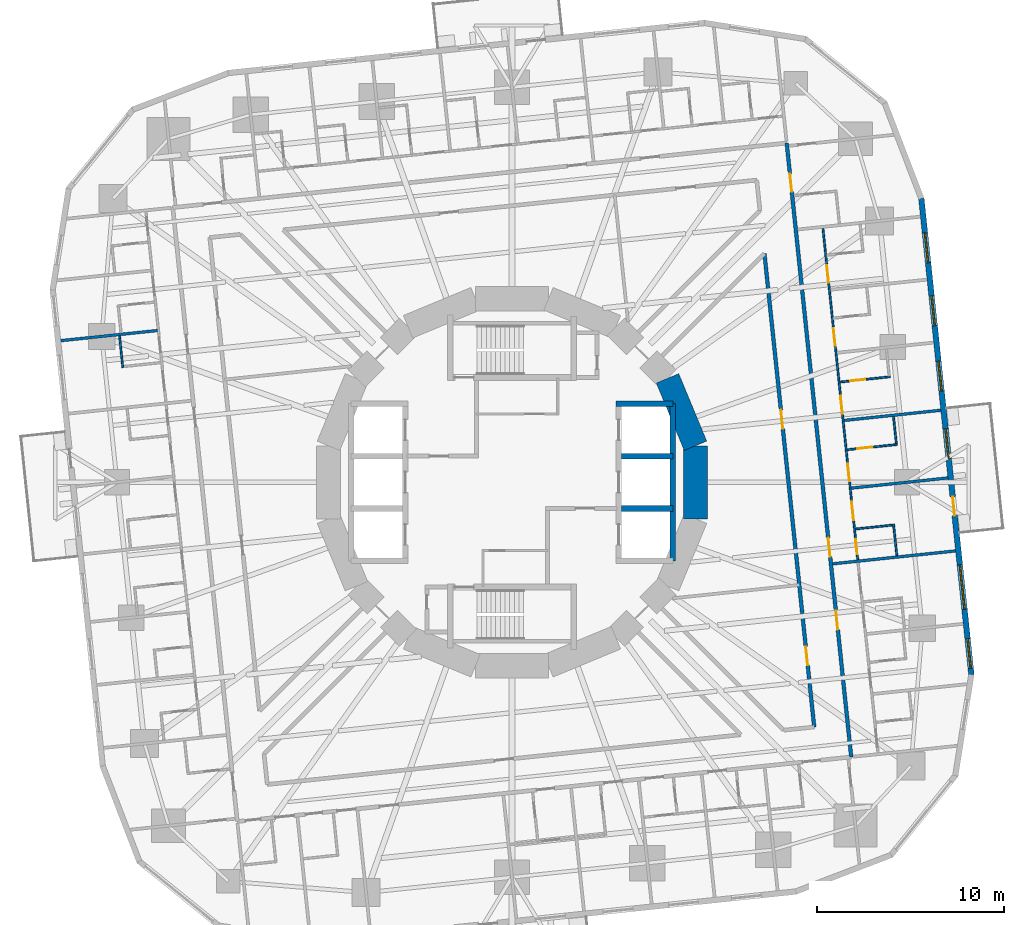
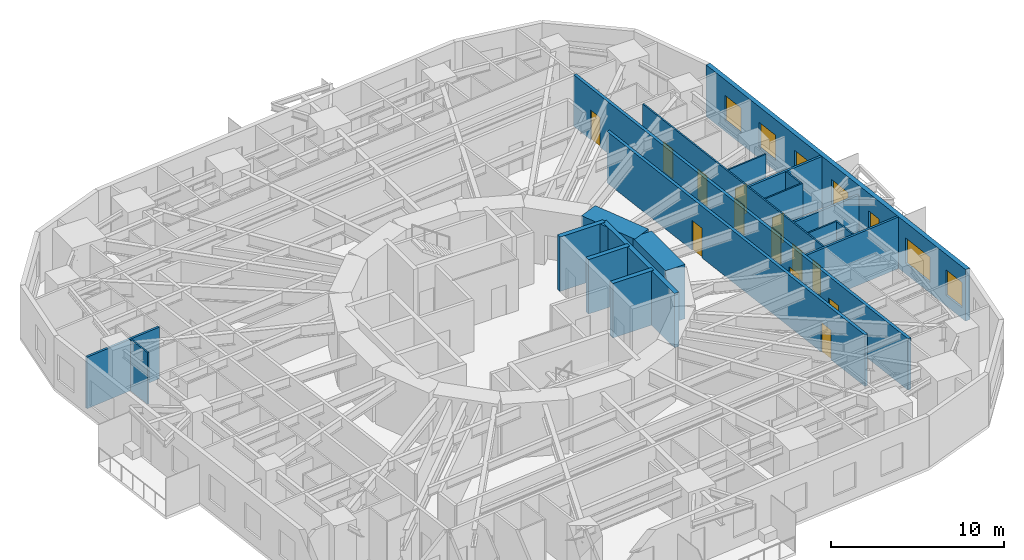
# One storey, part 9 of 15: 20 walls, 14 doors, 6 windows, 20 openings.
"""IFC4 building model written with IfcOpenShell, lengths in metres."""

from ifc_helpers import new_model, si_unit, direction, frame, frame_2d, origin, place, context, subcontext, project, spatial, rectangle, extrude, material, layer, layer_set, type_object, element, fill, save


model = new_model("IFC4")

# Units and contexts
model_context = context("Model", 3, precision=1e-05, world=origin(), true_north=direction((0.0, 1.0)))
body_context = subcontext(model_context, "Body", "Model", "MODEL_VIEW")
ifc_project = project(units=[si_unit("LENGTHUNIT", "METRE"), si_unit("AREAUNIT", "SQUARE_METRE"), si_unit("VOLUMEUNIT", "CUBIC_METRE"), si_unit("PLANEANGLEUNIT", "RADIAN"), si_unit("MASSUNIT", "GRAM", prefix="KILO")], contexts=[model_context])

# Site, building, storey
site_placement = place(None, origin())
site = spatial("IfcSite", under=ifc_project, at=site_placement, CompositionType="ELEMENT")
building_placement = place(site_placement, origin())
building = spatial("IfcBuilding", under=site, at=building_placement, Name="Nakasero Lantern House", CompositionType="ELEMENT")
storey_placement = place(building_placement, frame((0.0, 0.0, 64.35009765625)))
storey = spatial("IfcBuildingStorey", under=building, at=storey_placement, Name="L15", CompositionType="ELEMENT", Elevation=64.35009765625)

# Wall, openings, doors
ifc_material_1 = material(Name="Blockwork", Category="masonry")
ifc_layer_1 = layer(ifc_material_1, 0.10009765625)
ifc_layer_set_1 = layer_set([ifc_layer_1], Name="Cluster hall wall 100")
wall_type_1 = type_object("IfcWallType", Name="Cluster hall wall 100", PredefinedType="PARTITIONING", material=ifc_layer_set_1)
wall_1_placement = place(storey_placement, frame((18.484375, -4.143798828125, 0.0), z_axis=(0.0, 0.0, 1.0), x_axis=(-0.104524313484, 0.994522331519, 0.0)))
wall_1 = element("IfcWall", 1, at=wall_1_placement, inside=storey, type_object=wall_type_1, Name="Cluster hall wall L15 HW0-1", PredefinedType="PARTITIONING", context=body_context, shape_type="SweptSolid", body=[
    extrude(rectangle(XDim=17.8193359375, YDim=0.10009765625, at=frame_2d((8.90966796875, 0.0))), origin(), (0.0, 0.0, 1.0), 3.64990234375),
])
opening_1_placement = place(wall_1_placement, frame((2.125, 0.0, 0.0)))
opening_1 = element("IfcOpeningElement", 2, at=opening_1_placement, cuts=wall_1, Name="Opening D03", PredefinedType="OPENING", context=body_context, shape_type="SweptSolid", body=[
    extrude(rectangle(XDim=1.0, YDim=2.10009765625, at=frame_2d((0.5, 1.050048828125))), frame((0.0, 0.070068359375, 0.0), z_axis=(0.0, -1.0, 0.0), x_axis=(1.0, 0.0, 0.0)), (0.0, 0.0, 1.0), 0.14013671875),
])
opening_2_placement = place(wall_1_placement, frame((0.300048828125, 0.0, 0.0)))
opening_2 = element("IfcOpeningElement", 3, at=opening_2_placement, cuts=wall_1, Name="Opening D02", PredefinedType="OPENING", context=body_context, shape_type="SweptSolid", body=[
    extrude(rectangle(XDim=0.800048828125, YDim=2.10009765625, at=frame_2d((0.39990234375, 1.050048828125))), frame((0.0, 0.070068359375, 0.0), z_axis=(0.0, -1.0, 0.0), x_axis=(1.0, 0.0, 0.0)), (0.0, 0.0, 1.0), 0.14013671875),
])
opening_3_placement = place(wall_1_placement, frame((4.22119140625, 0.0, 0.0)))
opening_3 = element("IfcOpeningElement", 4, at=opening_3_placement, cuts=wall_1, Name="Opening D01", PredefinedType="OPENING", context=body_context, shape_type="SweptSolid", body=[
    extrude(rectangle(XDim=0.949951171875, YDim=2.10009765625, at=frame_2d((0.47509765625, 1.050048828125))), frame((0.0, 0.070068359375, 0.0), z_axis=(0.0, -1.0, 0.0), x_axis=(1.0, 0.0, 0.0)), (0.0, 0.0, 1.0), 0.14013671875),
])
opening_4_placement = place(wall_1_placement, frame((7.859619140625, 0.0, 0.0)))
opening_4 = element("IfcOpeningElement", 5, at=opening_4_placement, cuts=wall_1, Name="Opening D01", PredefinedType="OPENING", context=body_context, shape_type="SweptSolid", body=[
    extrude(rectangle(XDim=0.949951171875, YDim=2.10009765625, at=frame_2d((0.47509765625, 1.050048828125))), frame((0.0, 0.070068359375, 0.0), z_axis=(0.0, -1.0, 0.0), x_axis=(1.0, 0.0, 0.0)), (0.0, 0.0, 1.0), 0.14013671875),
])
opening_5_placement = place(wall_1_placement, frame((11.498291015625, 0.0, 0.0)))
opening_5 = element("IfcOpeningElement", 6, at=opening_5_placement, cuts=wall_1, Name="Opening D01", PredefinedType="OPENING", context=body_context, shape_type="SweptSolid", body=[
    extrude(rectangle(XDim=0.949951171875, YDim=2.10009765625, at=frame_2d((0.47509765625, 1.050048828125))), frame((0.0, 0.070068359375, 0.0), z_axis=(0.0, -1.0, 0.0), x_axis=(1.0, 0.0, 0.0)), (0.0, 0.0, 1.0), 0.14013671875),
])
opening_6_placement = place(wall_1_placement, frame((14.8837890625, 0.0, 0.0)))
opening_6 = element("IfcOpeningElement", 7, at=opening_6_placement, cuts=wall_1, Name="Opening D01", PredefinedType="OPENING", context=body_context, shape_type="SweptSolid", body=[
    extrude(rectangle(XDim=0.949951171875, YDim=2.10009765625, at=frame_2d((0.47509765625, 1.050048828125))), frame((0.0, 0.070068359375, 0.0), z_axis=(0.0, -1.0, 0.0), x_axis=(1.0, 0.0, 0.0)), (0.0, 0.0, 1.0), 0.14013671875),
])
ifc_material_2 = material(Name="Timber C24", Category="wood")
door_type_1 = type_object("IfcDoorType", Name="Bedroom door FD30S 950", OperationType="SINGLE_SWING_LEFT", PredefinedType="DOOR", material=ifc_material_2)
door_1_placement = place(opening_3_placement, origin())
door_1 = element("IfcDoor", 8, at=door_1_placement, inside=storey, type_object=door_type_1, Name="Door L15 D0-04", OperationType="SINGLE_SWING_LEFT", OverallHeight=2.10009765625, OverallWidth=0.949951171875, PredefinedType="DOOR", context=body_context, shape_type="SweptSolid", body=[
    extrude(rectangle(XDim=0.949951171875, YDim=2.10009765625, at=frame_2d((0.47509765625, 1.050048828125))), frame((0.0, 0.02490234375, 0.0), z_axis=(0.0, -1.0, 0.0), x_axis=(1.0, 0.0, 0.0)), (0.0, 0.0, 1.0), 0.050048828125),
])
fill(opening_3, door_1)
door_2_placement = place(opening_4_placement, origin())
door_2 = element("IfcDoor", 9, at=door_2_placement, inside=storey, type_object=door_type_1, Name="Door L15 D0-05", OperationType="SINGLE_SWING_LEFT", OverallHeight=2.10009765625, OverallWidth=0.949951171875, PredefinedType="DOOR", context=body_context, shape_type="SweptSolid", body=[
    extrude(rectangle(XDim=0.949951171875, YDim=2.10009765625, at=frame_2d((0.47509765625, 1.050048828125))), frame((0.0, 0.02490234375, 0.0), z_axis=(0.0, -1.0, 0.0), x_axis=(1.0, 0.0, 0.0)), (0.0, 0.0, 1.0), 0.050048828125),
])
fill(opening_4, door_2)
door_3_placement = place(opening_5_placement, origin())
door_3 = element("IfcDoor", 10, at=door_3_placement, inside=storey, type_object=door_type_1, Name="Door L15 D0-06", OperationType="SINGLE_SWING_RIGHT", OverallHeight=2.10009765625, OverallWidth=0.949951171875, PredefinedType="DOOR", context=body_context, shape_type="SweptSolid", body=[
    extrude(rectangle(XDim=0.949951171875, YDim=2.10009765625, at=frame_2d((0.47509765625, 1.050048828125))), frame((0.0, 0.02490234375, 0.0), z_axis=(0.0, -1.0, 0.0), x_axis=(1.0, 0.0, 0.0)), (0.0, 0.0, 1.0), 0.050048828125),
])
fill(opening_5, door_3)
door_4_placement = place(opening_6_placement, origin())
door_4 = element("IfcDoor", 11, at=door_4_placement, inside=storey, type_object=door_type_1, Name="Door L15 D0-07", OperationType="SINGLE_SWING_RIGHT", OverallHeight=2.10009765625, OverallWidth=0.949951171875, PredefinedType="DOOR", context=body_context, shape_type="SweptSolid", body=[
    extrude(rectangle(XDim=0.949951171875, YDim=2.10009765625, at=frame_2d((0.47509765625, 1.050048828125))), frame((0.0, 0.02490234375, 0.0), z_axis=(0.0, -1.0, 0.0), x_axis=(1.0, 0.0, 0.0)), (0.0, 0.0, 1.0), 0.050048828125),
])
fill(opening_6, door_4)
ifc_material_3 = material(Name="Timber C24", Category="wood")
door_type_2 = type_object("IfcDoorType", Name="En-suite door 800", OperationType="SINGLE_SWING_RIGHT", PredefinedType="DOOR", material=ifc_material_3)
door_5_placement = place(opening_2_placement, origin())
door_5 = element("IfcDoor", 12, at=door_5_placement, inside=storey, type_object=door_type_2, Name="Door L15 DSH0-1", OperationType="SINGLE_SWING_LEFT", OverallHeight=2.10009765625, OverallWidth=0.800048828125, PredefinedType="DOOR", context=body_context, shape_type="SweptSolid", body=[
    extrude(rectangle(XDim=0.800048828125, YDim=2.10009765625, at=frame_2d((0.39990234375, 1.050048828125))), frame((0.0, 0.02490234375, 0.0), z_axis=(0.0, -1.0, 0.0), x_axis=(1.0, 0.0, 0.0)), (0.0, 0.0, 1.0), 0.050048828125),
])
fill(opening_2, door_5)
ifc_material_4 = material(Name="Timber C24", Category="wood")
door_type_3 = type_object("IfcDoorType", Name="Lounge door FD30S 1000", OperationType="SINGLE_SWING_LEFT", PredefinedType="DOOR", material=ifc_material_4)
door_6_placement = place(opening_1_placement, origin())
door_6 = element("IfcDoor", 13, at=door_6_placement, inside=storey, type_object=door_type_3, Name="Door L15 DH0-1", OperationType="SINGLE_SWING_LEFT", OverallHeight=2.10009765625, OverallWidth=1.0, PredefinedType="DOOR", context=body_context, shape_type="SweptSolid", body=[
    extrude(rectangle(XDim=1.0, YDim=2.10009765625, at=frame_2d((0.5, 1.050048828125))), frame((0.0, 0.02490234375, 0.0), z_axis=(0.0, -1.0, 0.0), x_axis=(1.0, 0.0, 0.0)), (0.0, 0.0, 1.0), 0.050048828125),
])
fill(opening_1, door_6)

# Walls
ifc_material_5 = material(Name="Concrete C50/60", Category="concrete")
ifc_layer_2 = layer(ifc_material_5, 0.300048828125)
ifc_layer_set_2 = layer_set([ifc_layer_2], Name="Core inner wall 300")
wall_type_2 = type_object("IfcWallType", Name="Core inner wall 300", PredefinedType="SHEAR", material=ifc_layer_set_2)
wall_2_placement = place(storey_placement, frame((5.550048828125, 4.199951171875, 0.0), z_axis=(0.0, 0.0, 1.0), x_axis=(1.0, 0.0, 0.0)))
element("IfcWall", 14, at=wall_2_placement, inside=storey, type_object=wall_type_2, Name="Core inner wall L15 LEN", PredefinedType="SHEAR", context=body_context, shape_type="SweptSolid", body=[
    extrude(rectangle(XDim=3.050048828125, YDim=0.300048828125, at=frame_2d((1.52490234375, 0.0))), origin(), (0.0, 0.0, 1.0), 3.849853515625),
])
wall_3_placement = place(storey_placement, frame((8.60009765625, -4.199951171875, 0.0), z_axis=(0.0, 0.0, 1.0), x_axis=(0.0, 1.0, 0.0)))
element("IfcWall", 15, at=wall_3_placement, inside=storey, type_object=wall_type_2, Name="Core inner wall L15 LEB", PredefinedType="SHEAR", context=body_context, shape_type="SweptSolid", body=[
    extrude(rectangle(XDim=8.39990234375, YDim=0.300048828125, at=frame_2d((4.199951171875, 0.0))), origin(), (0.0, 0.0, 1.0), 3.849853515625),
])
for number, where, z_axis, x_axis, name in (
    (16, (5.85009765625, -1.39990234375, 0.0), (0.0, 0.0, 1.0), (1.0, 0.0, 0.0), "Core inner wall L15 LE1"),
    (17, (5.85009765625, 1.39990234375, 0.0), (0.0, 0.0, 1.0), (1.0, 0.0, 0.0), "Core inner wall L15 LE2"),
):
    element("IfcWall", number, at=place(storey_placement, frame(where, z_axis=z_axis, x_axis=x_axis)), inside=storey, type_object=wall_type_2, Name=name, PredefinedType="SHEAR", context=body_context, shape_type="SweptSolid", body=[
        extrude(rectangle(XDim=2.75, YDim=0.300048828125, at=frame_2d((1.375, 0.0))), origin(), (0.0, 0.0, 1.0), 3.849853515625),
    ])
ifc_material_6 = material(Name="Concrete C50/60", Category="concrete")
ifc_layer_3 = layer(ifc_material_6, 1.300048828125)
ifc_layer_set_3 = layer_set([ifc_layer_3], Name="Core wall 1300")
wall_type_3 = type_object("IfcWallType", Name="Core wall 1300", PredefinedType="SHEAR", material=ifc_layer_set_3)
for number, where, z_axis, x_axis, name in (
    (18, (9.807861328125, 1.950927734375, 0.0), (0.0, 0.0, 1.0), (-0.382690736062, 0.923876507187, 0.0), "Core wall L15 facet 1"),
    (19, (9.807861328125, -1.950927734375, 0.0), (0.0, 0.0, 1.0), (0.0, 1.0, 0.0), "Core wall L15 facet 16"),
):
    element("IfcWall", number, at=place(storey_placement, frame(where, z_axis=z_axis, x_axis=x_axis)), inside=storey, type_object=wall_type_3, Name=name, PredefinedType="SHEAR", context=body_context, shape_type="SweptSolid", body=[
        extrude(rectangle(XDim=3.90185546875, YDim=1.300048828125, at=frame_2d((1.950927734375, 0.0))), origin(), (0.0, 0.0, 1.0), 3.849853515625),
    ])

# Wall, openings, doors
ifc_material_7 = material(Name="Blockwork", Category="masonry")
ifc_layer_4 = layer(ifc_material_7, 0.199951171875)
ifc_layer_set_4 = layer_set([ifc_layer_4], Name="Corridor wall 200")
wall_type_4 = type_object("IfcWallType", Name="Corridor wall 200", PredefinedType="PARTITIONING", material=ifc_layer_set_4)
wall_4_placement = place(storey_placement, frame((18.13427734375, -14.684814453125, 0.0), z_axis=(0.0, 0.0, 1.0), x_axis=(-0.10452958258, 0.994521777723, 0.0)))
wall_4 = element("IfcWall", 20, at=wall_4_placement, inside=storey, type_object=wall_type_4, Name="Corridor wall L15 CW0", PredefinedType="PARTITIONING", context=body_context, shape_type="SweptSolid", body=[
    extrude(rectangle(XDim=32.999755859375, YDim=0.199951171875, at=frame_2d((16.5, 0.0))), origin(), (0.0, 0.0, 1.0), 3.64990234375),
])
opening_7_placement = place(wall_4_placement, frame((6.8505859375, 0.0, 0.0)))
opening_7 = element("IfcOpeningElement", 21, at=opening_7_placement, cuts=wall_4, Name="Opening D14", PredefinedType="OPENING", context=body_context, shape_type="SweptSolid", body=[
    extrude(rectangle(XDim=1.0, YDim=2.10009765625, at=frame_2d((0.5, 1.050048828125))), frame((0.0, 0.119873046875, 0.0), z_axis=(0.0, -1.0, 0.0), x_axis=(1.0, 0.0, 0.0)), (0.0, 0.0, 1.0), 0.239990234375),
])
opening_8_placement = place(wall_4_placement, frame((10.771728515625, 0.0, 0.0)))
opening_8 = element("IfcOpeningElement", 22, at=opening_8_placement, cuts=wall_4, Name="Opening D14", PredefinedType="OPENING", context=body_context, shape_type="SweptSolid", body=[
    extrude(rectangle(XDim=1.0, YDim=2.10009765625, at=frame_2d((0.5, 1.050048828125))), frame((0.0, 0.119873046875, 0.0), z_axis=(0.0, -1.0, 0.0), x_axis=(1.0, 0.0, 0.0)), (0.0, 0.0, 1.0), 0.239990234375),
])
opening_9_placement = place(wall_4_placement, frame((30.39111328125, 0.0, 0.0)))
opening_9 = element("IfcOpeningElement", 23, at=opening_9_placement, cuts=wall_4, Name="Opening D01", PredefinedType="OPENING", context=body_context, shape_type="SweptSolid", body=[
    extrude(rectangle(XDim=0.949951171875, YDim=2.10009765625, at=frame_2d((0.47509765625, 1.050048828125))), frame((0.0, 0.119873046875, 0.0), z_axis=(0.0, -1.0, 0.0), x_axis=(1.0, 0.0, 0.0)), (0.0, 0.0, 1.0), 0.239990234375),
])
door_7_placement = place(opening_9_placement, origin())
door_7 = element("IfcDoor", 24, at=door_7_placement, inside=storey, type_object=door_type_1, Name="Door L15 D0-08", OperationType="SINGLE_SWING_RIGHT", OverallHeight=2.10009765625, OverallWidth=0.949951171875, PredefinedType="DOOR", context=body_context, shape_type="SweptSolid", body=[
    extrude(rectangle(XDim=0.949951171875, YDim=2.10009765625, at=frame_2d((0.47509765625, 1.050048828125))), frame((0.0, 0.02490234375, 0.0), z_axis=(0.0, -1.0, 0.0), x_axis=(1.0, 0.0, 0.0)), (0.0, 0.0, 1.0), 0.050048828125),
])
fill(opening_9, door_7)
ifc_material_8 = material(Name="Timber C24", Category="wood")
door_type_4 = type_object("IfcDoorType", Name="Cluster entrance door FD30S 1000", OperationType="SINGLE_SWING_LEFT", PredefinedType="DOOR", material=ifc_material_8)
door_8_placement = place(opening_7_placement, origin())
door_8 = element("IfcDoor", 25, at=door_8_placement, inside=storey, type_object=door_type_4, Name="Door L15 DF0-0", OperationType="SINGLE_SWING_LEFT", OverallHeight=2.10009765625, OverallWidth=1.0, PredefinedType="DOOR", context=body_context, shape_type="SweptSolid", body=[
    extrude(rectangle(XDim=1.0, YDim=2.10009765625, at=frame_2d((0.5, 1.050048828125))), frame((0.0, 0.02490234375, 0.0), z_axis=(0.0, -1.0, 0.0), x_axis=(1.0, 0.0, 0.0)), (0.0, 0.0, 1.0), 0.050048828125),
])
fill(opening_7, door_8)
door_9_placement = place(opening_8_placement, origin())
door_9 = element("IfcDoor", 26, at=door_9_placement, inside=storey, type_object=door_type_4, Name="Door L15 DF0-1", OperationType="SINGLE_SWING_LEFT", OverallHeight=2.10009765625, OverallWidth=1.0, PredefinedType="DOOR", context=body_context, shape_type="SweptSolid", body=[
    extrude(rectangle(XDim=1.0, YDim=2.10009765625, at=frame_2d((0.5, 1.050048828125))), frame((0.0, 0.02490234375, 0.0), z_axis=(0.0, -1.0, 0.0), x_axis=(1.0, 0.0, 0.0)), (0.0, 0.0, 1.0), 0.050048828125),
])
fill(opening_8, door_9)

wall_5_placement = place(storey_placement, frame((16.156005859375, -13.0830078125, 0.0), z_axis=(0.0, 0.0, 1.0), x_axis=(-0.104522963916, 0.994522473358, 0.0)))
wall_5 = element("IfcWall", 27, at=wall_5_placement, inside=storey, type_object=wall_type_4, Name="Corridor wall L15 IW0-0", PredefinedType="PARTITIONING", context=body_context, shape_type="SweptSolid", body=[
    extrude(rectangle(XDim=25.44580078125, YDim=0.199951171875, at=frame_2d((12.722900390625, 0.0))), origin(), (0.0, 0.0, 1.0), 3.64990234375),
])
opening_10_placement = place(wall_5_placement, frame((3.31689453125, 0.0, 0.0)))
opening_10 = element("IfcOpeningElement", 28, at=opening_10_placement, cuts=wall_5, Name="Opening D07", PredefinedType="OPENING", context=body_context, shape_type="SweptSolid", body=[
    extrude(rectangle(XDim=1.0, YDim=2.10009765625, at=frame_2d((0.5, 1.050048828125))), frame((0.0, 0.119873046875, 0.0), z_axis=(0.0, -1.0, 0.0), x_axis=(1.0, 0.0, 0.0)), (0.0, 0.0, 1.0), 0.239990234375),
])
opening_11_placement = place(wall_5_placement, frame((16.039794921875, 0.0, 0.0)))
opening_11 = element("IfcOpeningElement", 29, at=opening_11_placement, cuts=wall_5, Name="Opening D07", PredefinedType="OPENING", context=body_context, shape_type="SweptSolid", body=[
    extrude(rectangle(XDim=1.0, YDim=2.10009765625, at=frame_2d((0.5, 1.050048828125))), frame((0.0, 0.119873046875, 0.0), z_axis=(0.0, -1.0, 0.0), x_axis=(1.0, 0.0, 0.0)), (0.0, 0.0, 1.0), 0.239990234375),
])
ifc_material_9 = material(Name="Timber C24", Category="wood")
door_type_5 = type_object("IfcDoorType", Name="Room door FD30S 1000", OperationType="SINGLE_SWING_LEFT", PredefinedType="DOOR", material=ifc_material_9)
door_10_placement = place(opening_10_placement, origin())
door_10 = element("IfcDoor", 30, at=door_10_placement, inside=storey, type_object=door_type_5, Name="Door L15 DI1", OperationType="SINGLE_SWING_LEFT", OverallHeight=2.10009765625, OverallWidth=1.0, PredefinedType="DOOR", context=body_context, shape_type="SweptSolid", body=[
    extrude(rectangle(XDim=1.0, YDim=2.10009765625, at=frame_2d((0.5, 1.050048828125))), frame((0.0, 0.02490234375, 0.0), z_axis=(0.0, -1.0, 0.0), x_axis=(1.0, 0.0, 0.0)), (0.0, 0.0, 1.0), 0.050048828125),
])
fill(opening_10, door_10)
door_11_placement = place(opening_11_placement, origin())
door_11 = element("IfcDoor", 31, at=door_11_placement, inside=storey, type_object=door_type_5, Name="Door L15 DI1S", OperationType="SINGLE_SWING_RIGHT", OverallHeight=2.10009765625, OverallWidth=1.0, PredefinedType="DOOR", context=body_context, shape_type="SweptSolid", body=[
    extrude(rectangle(XDim=1.0, YDim=2.10009765625, at=frame_2d((0.5, 1.050048828125))), frame((0.0, 0.02490234375, 0.0), z_axis=(0.0, -1.0, 0.0), x_axis=(1.0, 0.0, 0.0)), (0.0, 0.0, 1.0), 0.050048828125),
])
fill(opening_11, door_11)

# Walls
ifc_material_10 = material(Name="Blockwork", Category="masonry")
ifc_layer_5 = layer(ifc_material_10, 0.10009765625)
ifc_layer_set_5 = layer_set([ifc_layer_5], Name="En-suite wall 100")
wall_type_5 = type_object("IfcWallType", Name="En-suite wall 100", PredefinedType="PARTITIONING", material=ifc_layer_set_5)
wall_6_placement = place(storey_placement, frame((18.361572265625, -2.49755859375, 0.0), z_axis=(0.0, 0.0, 1.0), x_axis=(0.994523910136, 0.104509292252, 0.0)))
element("IfcWall", 32, at=wall_6_placement, inside=storey, type_object=wall_type_5, Name="En-suite wall L15 SS0-1", PredefinedType="PARTITIONING", context=body_context, shape_type="SweptSolid", body=[
    extrude(rectangle(XDim=2.10009765625, YDim=0.10009765625, at=frame_2d((1.050048828125, 0.0))), origin(), (0.0, 0.0, 1.0), 3.64990234375),
])
wall_7_placement = place(storey_placement, frame((20.572998046875, -3.92431640625, 0.0), z_axis=(0.0, 0.0, 1.0), x_axis=(-0.104550220202, 0.994519608382, 0.0)))
element("IfcWall", 33, at=wall_7_placement, inside=storey, type_object=wall_type_5, Name="En-suite wall L15 SE0-1", PredefinedType="PARTITIONING", context=body_context, shape_type="SweptSolid", body=[
    extrude(rectangle(XDim=1.699951171875, YDim=0.10009765625, at=frame_2d((0.85009765625, 0.0))), origin(), (0.0, 0.0, 1.0), 3.64990234375),
])

# Wall, opening, door
wall_8_placement = place(storey_placement, frame((17.91650390625, 1.73876953125, 0.0), z_axis=(0.0, 0.0, 1.0), x_axis=(0.994521297289, 0.104534153452, 0.0)))
wall_8 = element("IfcWall", 34, at=wall_8_placement, inside=storey, type_object=wall_type_5, Name="En-suite wall L15 ES0-04", PredefinedType="PARTITIONING", context=body_context, shape_type="SweptSolid", body=[
    extrude(rectangle(XDim=2.699951171875, YDim=0.10009765625, at=frame_2d((1.35009765625, 0.0))), origin(), (0.0, 0.0, 1.0), 3.64990234375),
])
opening_12_placement = place(wall_8_placement, frame((0.550048828125, 0.0, 0.0)))
opening_12 = element("IfcOpeningElement", 35, at=opening_12_placement, cuts=wall_8, Name="Opening D02", PredefinedType="OPENING", context=body_context, shape_type="SweptSolid", body=[
    extrude(rectangle(XDim=0.800048828125, YDim=2.10009765625, at=frame_2d((0.39990234375, 1.050048828125))), frame((0.0, 0.070068359375, 0.0), z_axis=(0.0, -1.0, 0.0), x_axis=(1.0, 0.0, 0.0)), (0.0, 0.0, 1.0), 0.14013671875),
])
door_12_placement = place(opening_12_placement, origin())
door_12 = element("IfcDoor", 36, at=door_12_placement, inside=storey, type_object=door_type_2, Name="Door L15 DE0-04", OperationType="SINGLE_SWING_LEFT", OverallHeight=2.10009765625, OverallWidth=0.800048828125, PredefinedType="DOOR", context=body_context, shape_type="SweptSolid", body=[
    extrude(rectangle(XDim=0.800048828125, YDim=2.10009765625, at=frame_2d((0.39990234375, 1.050048828125))), frame((0.0, 0.02490234375, 0.0), z_axis=(0.0, -1.0, 0.0), x_axis=(1.0, 0.0, 0.0)), (0.0, 0.0, 1.0), 0.050048828125),
])
fill(opening_12, door_12)

# Wall
wall_9_placement = place(storey_placement, frame((20.546630859375, 2.0654296875, 0.0), z_axis=(0.0, 0.0, 1.0), x_axis=(-0.10455332221, 0.994519282274, 0.0)))
element("IfcWall", 37, at=wall_9_placement, inside=storey, type_object=wall_type_5, Name="En-suite wall L15 EE0-04", PredefinedType="PARTITIONING", context=body_context, shape_type="SweptSolid", body=[
    extrude(rectangle(XDim=1.4501953125, YDim=0.10009765625, at=frame_2d((0.72509765625, 0.0))), origin(), (0.0, 0.0, 1.0), 3.64990234375),
])

# Wall, opening, door
wall_10_placement = place(storey_placement, frame((17.5361328125, 5.357421875, 0.0), z_axis=(0.0, 0.0, 1.0), x_axis=(0.994521297289, 0.104534153452, 0.0)))
wall_10 = element("IfcWall", 38, at=wall_10_placement, inside=storey, type_object=wall_type_5, Name="En-suite wall L15 ES0-05", PredefinedType="PARTITIONING", context=body_context, shape_type="SweptSolid", body=[
    extrude(rectangle(XDim=2.699951171875, YDim=0.10009765625, at=frame_2d((1.35009765625, 0.0))), origin(), (0.0, 0.0, 1.0), 3.64990234375),
])
opening_13_placement = place(wall_10_placement, frame((0.550048828125, 0.0, 0.0)))
opening_13 = element("IfcOpeningElement", 39, at=opening_13_placement, cuts=wall_10, Name="Opening D02", PredefinedType="OPENING", context=body_context, shape_type="SweptSolid", body=[
    extrude(rectangle(XDim=0.800048828125, YDim=2.10009765625, at=frame_2d((0.39990234375, 1.050048828125))), frame((0.0, 0.070068359375, 0.0), z_axis=(0.0, -1.0, 0.0), x_axis=(1.0, 0.0, 0.0)), (0.0, 0.0, 1.0), 0.14013671875),
])
door_13_placement = place(opening_13_placement, origin())
door_13 = element("IfcDoor", 40, at=door_13_placement, inside=storey, type_object=door_type_2, Name="Door L15 DE0-05", OperationType="SINGLE_SWING_LEFT", OverallHeight=2.10009765625, OverallWidth=0.800048828125, PredefinedType="DOOR", context=body_context, shape_type="SweptSolid", body=[
    extrude(rectangle(XDim=0.800048828125, YDim=2.10009765625, at=frame_2d((0.39990234375, 1.050048828125))), frame((0.0, 0.02490234375, 0.0), z_axis=(0.0, -1.0, 0.0), x_axis=(1.0, 0.0, 0.0)), (0.0, 0.0, 1.0), 0.050048828125),
])
fill(opening_13, door_13)

# Wall
wall_11_placement = place(storey_placement, frame((-20.982666015625, 7.823974609375, 0.0), z_axis=(0.0, 0.0, 1.0), x_axis=(0.104408173862, -0.994534530939, 0.0)))
element("IfcWall", 41, at=wall_11_placement, inside=storey, type_object=wall_type_5, Name="En-suite wall L15 SE2-0", PredefinedType="PARTITIONING", context=body_context, shape_type="SweptSolid", body=[
    extrude(rectangle(XDim=1.699951171875, YDim=0.10009765625, at=frame_2d((0.85009765625, 0.0))), origin(), (0.0, 0.0, 1.0), 3.64990234375),
])

# Wall, openings, door, windows
ifc_material_11 = material(Name="Aluminium rainscreen on blockwork", Category="masonry")
ifc_layer_6 = layer(ifc_material_11, 0.300048828125)
ifc_layer_set_6 = layer_set([ifc_layer_6], Name="Facade wall 300")
wall_type_6 = type_object("IfcWallType", Name="Facade wall 300", PredefinedType="SOLIDWALL", material=ifc_layer_set_6)
wall_12_placement = place(storey_placement, frame((24.56005859375, -10.2890625, 0.0), z_axis=(0.0, 0.0, 1.0), x_axis=(-0.104532378096, 0.994521483895, 0.0)))
wall_12 = element("IfcWall", 42, at=wall_12_placement, inside=storey, type_object=wall_type_6, Name="Facade wall L15 FW0S", PredefinedType="SOLIDWALL", context=body_context, shape_type="SweptSolid", body=[
    extrude(rectangle(XDim=25.599853515625, YDim=0.300048828125, at=frame_2d((12.7998046875, 0.0))), origin(), (0.0, 0.0, 1.0), 3.64990234375),
])
opening_14_placement = place(wall_12_placement, frame((0.337890625, 0.0, 0.75)))
opening_14 = element("IfcOpeningElement", 43, at=opening_14_placement, cuts=wall_12, Name="Opening W01", PredefinedType="OPENING", context=body_context, shape_type="SweptSolid", body=[
    extrude(rectangle(XDim=1.60009765625, YDim=1.800048828125, at=frame_2d((0.800048828125, 0.89990234375))), frame((0.0, 0.169921875, 0.0), z_axis=(0.0, -1.0, 0.0), x_axis=(1.0, 0.0, 0.0)), (0.0, 0.0, 1.0), 0.340087890625),
])
opening_15_placement = place(wall_12_placement, frame((11.612060546875, 0.0, 0.75)))
opening_15 = element("IfcOpeningElement", 44, at=opening_15_placement, cuts=wall_12, Name="Opening W01", PredefinedType="OPENING", context=body_context, shape_type="SweptSolid", body=[
    extrude(rectangle(XDim=1.60009765625, YDim=1.800048828125, at=frame_2d((0.800048828125, 0.89990234375))), frame((0.0, 0.169921875, 0.0), z_axis=(0.0, -1.0, 0.0), x_axis=(1.0, 0.0, 0.0)), (0.0, 0.0, 1.0), 0.340087890625),
])
opening_16_placement = place(wall_12_placement, frame((15.250732421875, 0.0, 0.75)))
opening_16 = element("IfcOpeningElement", 45, at=opening_16_placement, cuts=wall_12, Name="Opening W01", PredefinedType="OPENING", context=body_context, shape_type="SweptSolid", body=[
    extrude(rectangle(XDim=1.60009765625, YDim=1.800048828125, at=frame_2d((0.800048828125, 0.89990234375))), frame((0.0, 0.169921875, 0.0), z_axis=(0.0, -1.0, 0.0), x_axis=(1.0, 0.0, 0.0)), (0.0, 0.0, 1.0), 0.340087890625),
])
opening_17_placement = place(wall_12_placement, frame((18.7626953125, 0.0, 0.75)))
opening_17 = element("IfcOpeningElement", 46, at=opening_17_placement, cuts=wall_12, Name="Opening W01", PredefinedType="OPENING", context=body_context, shape_type="SweptSolid", body=[
    extrude(rectangle(XDim=1.60009765625, YDim=1.800048828125, at=frame_2d((0.800048828125, 0.89990234375))), frame((0.0, 0.169921875, 0.0), z_axis=(0.0, -1.0, 0.0), x_axis=(1.0, 0.0, 0.0)), (0.0, 0.0, 1.0), 0.340087890625),
])
opening_18_placement = place(wall_12_placement, frame((22.1484375, 0.0, 0.75)))
opening_18 = element("IfcOpeningElement", 47, at=opening_18_placement, cuts=wall_12, Name="Opening W01", PredefinedType="OPENING", context=body_context, shape_type="SweptSolid", body=[
    extrude(rectangle(XDim=1.60009765625, YDim=1.800048828125, at=frame_2d((0.800048828125, 0.89990234375))), frame((0.0, 0.169921875, 0.0), z_axis=(0.0, -1.0, 0.0), x_axis=(1.0, 0.0, 0.0)), (0.0, 0.0, 1.0), 0.340087890625),
])
opening_19_placement = place(wall_12_placement, frame((3.51123046875, 0.0, 0.75)))
opening_19 = element("IfcOpeningElement", 48, at=opening_19_placement, cuts=wall_12, Name="Opening W03", PredefinedType="OPENING", context=body_context, shape_type="SweptSolid", body=[
    extrude(rectangle(XDim=2.39990234375, YDim=1.800048828125, at=frame_2d((1.199951171875, 0.89990234375))), frame((0.0, 0.169921875, 0.0), z_axis=(0.0, -1.0, 0.0), x_axis=(1.0, 0.0, 0.0)), (0.0, 0.0, 1.0), 0.340087890625),
])
opening_20_placement = place(wall_12_placement, frame((8.558837890625, 0.0, 0.0)))
opening_20 = element("IfcOpeningElement", 49, at=opening_20_placement, cuts=wall_12, Name="Opening D04", PredefinedType="OPENING", context=body_context, shape_type="SweptSolid", body=[
    extrude(rectangle(XDim=1.0, YDim=2.39990234375, at=frame_2d((0.5, 1.199951171875))), frame((0.0, 0.169921875, 0.0), z_axis=(0.0, -1.0, 0.0), x_axis=(1.0, 0.0, 0.0)), (0.0, 0.0, 1.0), 0.340087890625),
])
ifc_material_12 = material(Name="Aluminium 6063-T6 and glass", Category="aluminium")
door_type_6 = type_object("IfcDoorType", Name="Balcony door 1000x2400", OperationType="SINGLE_SWING_RIGHT", PredefinedType="DOOR", material=ifc_material_12)
door_14_placement = place(opening_20_placement, origin())
door_14 = element("IfcDoor", 50, at=door_14_placement, inside=storey, type_object=door_type_6, Name="Balcony door L15 DB0", OperationType="SINGLE_SWING_RIGHT", OverallHeight=2.39990234375, OverallWidth=1.0, PredefinedType="DOOR", context=body_context, shape_type="SweptSolid", body=[
    extrude(rectangle(XDim=1.0, YDim=2.39990234375, at=frame_2d((0.5, 1.199951171875))), frame((0.0, 0.02490234375, 0.0), z_axis=(0.0, -1.0, 0.0), x_axis=(1.0, 0.0, 0.0)), (0.0, 0.0, 1.0), 0.050048828125),
])
fill(opening_20, door_14)
ifc_material_13 = material(Name="Aluminium 6063-T6 and glass", Category="aluminium")
window_type_1 = type_object("IfcWindowType", Name="Bedroom window 1600x1800", PartitioningType="SINGLE_PANEL", PredefinedType="WINDOW", material=ifc_material_13)
window_1_placement = place(opening_14_placement, origin())
window_1 = element("IfcWindow", 51, at=window_1_placement, inside=storey, type_object=window_type_1, Name="Window L15 WN0-01", OverallHeight=1.800048828125, OverallWidth=1.60009765625, PartitioningType="SINGLE_PANEL", PredefinedType="WINDOW", context=body_context, shape_type="SweptSolid", body=[
    extrude(rectangle(XDim=1.60009765625, YDim=1.800048828125, at=frame_2d((0.800048828125, 0.89990234375))), frame((0.0, 0.030029296875, 0.0), z_axis=(0.0, -1.0, 0.0), x_axis=(1.0, 0.0, 0.0)), (0.0, 0.0, 1.0), 0.06005859375),
])
fill(opening_14, window_1)
window_2_placement = place(opening_15_placement, origin())
window_2 = element("IfcWindow", 52, at=window_2_placement, inside=storey, type_object=window_type_1, Name="Window L15 WN0-04", OverallHeight=1.800048828125, OverallWidth=1.60009765625, PartitioningType="SINGLE_PANEL", PredefinedType="WINDOW", context=body_context, shape_type="SweptSolid", body=[
    extrude(rectangle(XDim=1.60009765625, YDim=1.800048828125, at=frame_2d((0.800048828125, 0.89990234375))), frame((0.0, 0.030029296875, 0.0), z_axis=(0.0, -1.0, 0.0), x_axis=(1.0, 0.0, 0.0)), (0.0, 0.0, 1.0), 0.06005859375),
])
fill(opening_15, window_2)
window_3_placement = place(opening_16_placement, origin())
window_3 = element("IfcWindow", 53, at=window_3_placement, inside=storey, type_object=window_type_1, Name="Window L15 WN0-05", OverallHeight=1.800048828125, OverallWidth=1.60009765625, PartitioningType="SINGLE_PANEL", PredefinedType="WINDOW", context=body_context, shape_type="SweptSolid", body=[
    extrude(rectangle(XDim=1.60009765625, YDim=1.800048828125, at=frame_2d((0.800048828125, 0.89990234375))), frame((0.0, 0.030029296875, 0.0), z_axis=(0.0, -1.0, 0.0), x_axis=(1.0, 0.0, 0.0)), (0.0, 0.0, 1.0), 0.06005859375),
])
fill(opening_16, window_3)
window_4_placement = place(opening_17_placement, origin())
window_4 = element("IfcWindow", 54, at=window_4_placement, inside=storey, type_object=window_type_1, Name="Window L15 WN0-06", OverallHeight=1.800048828125, OverallWidth=1.60009765625, PartitioningType="SINGLE_PANEL", PredefinedType="WINDOW", context=body_context, shape_type="SweptSolid", body=[
    extrude(rectangle(XDim=1.60009765625, YDim=1.800048828125, at=frame_2d((0.800048828125, 0.89990234375))), frame((0.0, 0.030029296875, 0.0), z_axis=(0.0, -1.0, 0.0), x_axis=(1.0, 0.0, 0.0)), (0.0, 0.0, 1.0), 0.06005859375),
])
fill(opening_17, window_4)
window_5_placement = place(opening_18_placement, origin())
window_5 = element("IfcWindow", 55, at=window_5_placement, inside=storey, type_object=window_type_1, Name="Window L15 WN0-07", OverallHeight=1.800048828125, OverallWidth=1.60009765625, PartitioningType="SINGLE_PANEL", PredefinedType="WINDOW", context=body_context, shape_type="SweptSolid", body=[
    extrude(rectangle(XDim=1.60009765625, YDim=1.800048828125, at=frame_2d((0.800048828125, 0.89990234375))), frame((0.0, 0.030029296875, 0.0), z_axis=(0.0, -1.0, 0.0), x_axis=(1.0, 0.0, 0.0)), (0.0, 0.0, 1.0), 0.06005859375),
])
fill(opening_18, window_5)
ifc_material_14 = material(Name="Aluminium 6063-T6 and glass", Category="aluminium")
window_type_2 = type_object("IfcWindowType", Name="Lounge window 2400x1800", PartitioningType="SINGLE_PANEL", PredefinedType="WINDOW", material=ifc_material_14)
window_6_placement = place(opening_19_placement, origin())
window_6 = element("IfcWindow", 56, at=window_6_placement, inside=storey, type_object=window_type_2, Name="Window L15 WK0", OverallHeight=1.800048828125, OverallWidth=2.39990234375, PartitioningType="SINGLE_PANEL", PredefinedType="WINDOW", context=body_context, shape_type="SweptSolid", body=[
    extrude(rectangle(XDim=2.39990234375, YDim=1.800048828125, at=frame_2d((1.199951171875, 0.89990234375))), frame((0.0, 0.030029296875, 0.0), z_axis=(0.0, -1.0, 0.0), x_axis=(1.0, 0.0, 0.0)), (0.0, 0.0, 1.0), 0.06005859375),
])
fill(opening_19, window_6)

# Walls
ifc_material_15 = material(Name="Blockwork", Category="masonry")
ifc_layer_7 = layer(ifc_material_15, 0.14990234375)
ifc_layer_set_7 = layer_set([ifc_layer_7], Name="Party wall 150")
wall_type_7 = type_object("IfcWallType", Name="Party wall 150", PredefinedType="PARTITIONING", material=ifc_layer_set_7)
wall_13_placement = place(storey_placement, frame((17.149658203125, -4.359619140625, 0.0), z_axis=(0.0, 0.0, 1.0), x_axis=(0.994520846901, 0.104538438287, 0.0)))
element("IfcWall", 57, at=wall_13_placement, inside=storey, type_object=wall_type_7, Name="Party wall L15 PW0-03", PredefinedType="PARTITIONING", context=body_context, shape_type="SweptSolid", body=[
    extrude(rectangle(XDim=6.599853515625, YDim=0.14990234375, at=frame_2d((3.2998046875, 0.0))), origin(), (0.0, 0.0, 1.0), 3.64990234375),
])
wall_14_placement = place(storey_placement, frame((18.132080078125, -0.3134765625, 0.0), z_axis=(0.0, 0.0, 1.0), x_axis=(0.994523959761, 0.104508820017, 0.0)))
element("IfcWall", 58, at=wall_14_placement, inside=storey, type_object=wall_type_7, Name="Party wall L15 PW0-04", PredefinedType="PARTITIONING", context=body_context, shape_type="SweptSolid", body=[
    extrude(rectangle(XDim=5.2001953125, YDim=0.14990234375, at=frame_2d((2.60009765625, 0.0))), origin(), (0.0, 0.0, 1.0), 2.96630859375),
])
wall_15_placement = place(storey_placement, frame((17.751708984375, 3.30517578125, 0.0), z_axis=(0.0, 0.0, 1.0), x_axis=(0.994523959761, 0.104508820017, 0.0)))
element("IfcWall", 59, at=wall_15_placement, inside=storey, type_object=wall_type_7, Name="Party wall L15 PW0-05", PredefinedType="PARTITIONING", context=body_context, shape_type="SweptSolid", body=[
    extrude(rectangle(XDim=5.2001953125, YDim=0.14990234375, at=frame_2d((2.60009765625, 0.0))), origin(), (0.0, 0.0, 1.0), 3.64990234375),
])
wall_16_placement = place(storey_placement, frame((-18.951904296875, 8.11279296875, 0.0), z_axis=(0.0, 0.0, 1.0), x_axis=(-0.994523446942, -0.104513699976, 0.0)))
element("IfcWall", 60, at=wall_16_placement, inside=storey, type_object=wall_type_7, Name="Party wall L15 PW2-02", PredefinedType="PARTITIONING", context=body_context, shape_type="SweptSolid", body=[
    extrude(rectangle(XDim=5.199951171875, YDim=0.14990234375, at=frame_2d((2.60009765625, 0.0))), origin(), (0.0, 0.0, 1.0), 3.64990234375),
])

save(model, "model.ifc")
